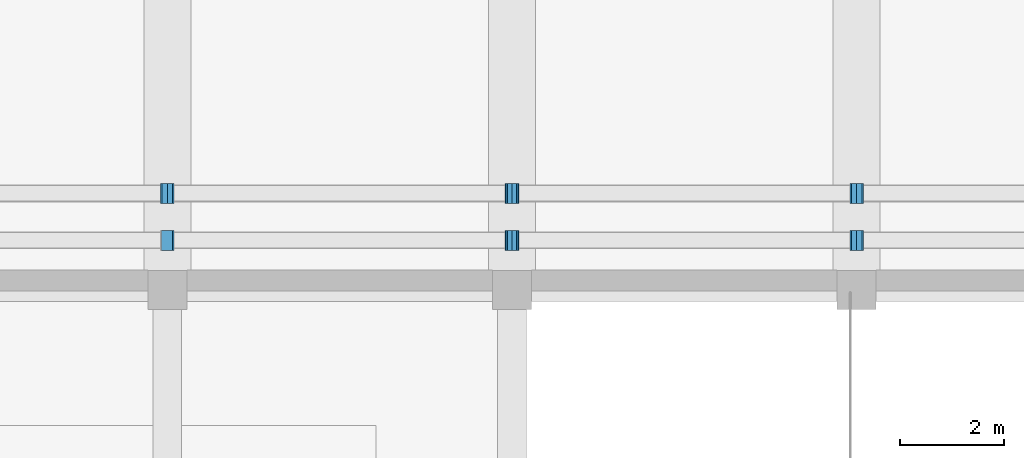
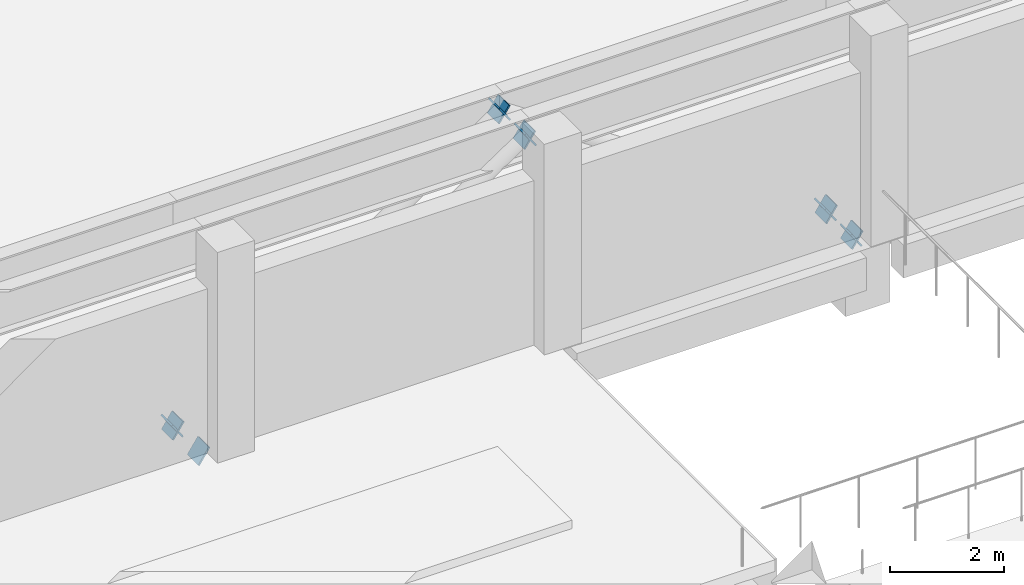
# One storey, part 45 of 54: 11 discrete accessories.
"""IFC4 building model written with IfcOpenShell, lengths in metres."""

from ifc_helpers import new_model, si_unit, direction, frame, origin, origin_2d, place, context, subcontext, project, spatial, rectangle, extrude, material, material_profile, profile_set, type_object, element, save


model = new_model("IFC4")

# Units and contexts
model_context = context("Model", 3, precision=1e-05, world=origin(), true_north=direction((0.0, 1.0)))
body_context = subcontext(model_context, "Body", "Model", "MODEL_VIEW")
ifc_project = project(units=[si_unit("LENGTHUNIT", "METRE"), si_unit("AREAUNIT", "SQUARE_METRE"), si_unit("VOLUMEUNIT", "CUBIC_METRE"), si_unit("PLANEANGLEUNIT", "RADIAN"), si_unit("MASSUNIT", "GRAM", prefix="KILO")], contexts=[model_context])

# Site, building, storey
site_placement = place(None, origin())
site = spatial("IfcSite", under=ifc_project, at=site_placement, CompositionType="ELEMENT")
building_placement = place(site_placement, origin())
building = spatial("IfcBuilding", under=site, at=building_placement, Name="Kelarvand Opera House", CompositionType="ELEMENT")
storey_placement = place(building_placement, frame((0.0, 0.0, 15.0)))
storey = spatial("IfcBuildingStorey", under=building, at=storey_placement, Name="L03", CompositionType="ELEMENT", Elevation=15.0)

# Discrete accessories
ifc_material = material(Name="Steel S355", Category="steel")
ifc_material_profile = material_profile(ifc_material, rectangle(XDim=0.384033203125, YDim=0.384033203125, at=origin_2d()), Name="Welded Steel Hollow End-Cap Plate 384x384x24", Category="steel")
ifc_profile_set = profile_set([ifc_material_profile], Name="Steel S355")
discrete_accessory_type = type_object("IfcDiscreteAccessoryType", Name="Welded Steel Hollow End-Cap Plate 384x384x24", PredefinedType="SHOE", material=ifc_profile_set)
discrete_accessory_placement = place(storey_placement, frame((121.993408203125, 47.550048828125, -0.66552734375), z_axis=(0.829951176842, 0.0, -0.557836036894), x_axis=(0.0, 1.0, 0.0)))
element("IfcDiscreteAccessory", 1, at=discrete_accessory_placement, inside=storey, type_object=discrete_accessory_type, Name="Hollow Section Welded End Cap 120", PredefinedType="SHOE", context=body_context, shape_type="SweptSolid", body=[
    extrude(rectangle(XDim=0.384033203125, YDim=0.384033203125, at=origin_2d()), origin(), (0.0, 0.0, 1.0), 0.035888671875),
])
for number, where, z_axis, x_axis, name in (
    (2, (128.593505859375, 47.550048828125, 3.765380859375), (0.826800431078, 0.0, 0.562495375242), (0.0, 1.0, 0.0), "Hollow Section Welded End Cap 124"),
    (3, (128.606689453125, 47.550048828125, 3.765380859375), (-0.826800431078, 0.0, 0.562495375242), (0.0, -1.0, 0.0), "Hollow Section Welded End Cap 127"),
):
    element("IfcDiscreteAccessory", number, at=place(storey_placement, frame(where, z_axis=z_axis, x_axis=x_axis)), inside=storey, type_object=discrete_accessory_type, Name=name, PredefinedType="SHOE", context=body_context, shape_type="SweptSolid", body=[
        extrude(rectangle(XDim=0.384033203125, YDim=0.384033203125, at=origin_2d()), origin(), (0.0, 0.0, 1.0), 0.0361328125),
    ])
for number, where, z_axis, x_axis, name in (
    (4, (135.193359375, 47.550048828125, -0.66552734375), (0.829951176842, 0.0, -0.557836036894), (0.0, 1.0, 0.0), "Hollow Section Welded End Cap 128"),
    (5, (135.20654296875, 47.550048828125, -0.66552734375), (-0.829951176842, 0.0, -0.557836036894), (0.0, -1.0, 0.0), "Hollow Section Welded End Cap 131"),
    (6, (121.993408203125, 48.449951171875, -0.66552734375), (0.829951176842, 0.0, -0.557836036894), (0.0, 1.0, 0.0), "Hollow Section Welded End Cap 144"),
    (7, (122.006591796875, 48.449951171875, -0.66552734375), (-0.829951176842, 0.0, -0.557836036894), (0.0, -1.0, 0.0), "Hollow Section Welded End Cap 147"),
):
    element("IfcDiscreteAccessory", number, at=place(storey_placement, frame(where, z_axis=z_axis, x_axis=x_axis)), inside=storey, type_object=discrete_accessory_type, Name=name, PredefinedType="SHOE", context=body_context, shape_type="SweptSolid", body=[
        extrude(rectangle(XDim=0.384033203125, YDim=0.384033203125, at=origin_2d()), origin(), (0.0, 0.0, 1.0), 0.035888671875),
    ])
for number, where, z_axis, x_axis, name in (
    (8, (128.593505859375, 48.449951171875, 3.765380859375), (0.826800431078, 0.0, 0.562495375242), (0.0, 1.0, 0.0), "Hollow Section Welded End Cap 148"),
    (9, (128.606689453125, 48.449951171875, 3.765380859375), (-0.826800431078, 0.0, 0.562495375242), (0.0, -1.0, 0.0), "Hollow Section Welded End Cap 151"),
):
    element("IfcDiscreteAccessory", number, at=place(storey_placement, frame(where, z_axis=z_axis, x_axis=x_axis)), inside=storey, type_object=discrete_accessory_type, Name=name, PredefinedType="SHOE", context=body_context, shape_type="SweptSolid", body=[
        extrude(rectangle(XDim=0.384033203125, YDim=0.384033203125, at=origin_2d()), origin(), (0.0, 0.0, 1.0), 0.0361328125),
    ])
for number, where, z_axis, x_axis, name in (
    (10, (135.193359375, 48.449951171875, -0.66552734375), (0.829951176842, 0.0, -0.557836036894), (0.0, 1.0, 0.0), "Hollow Section Welded End Cap 152"),
    (11, (135.20654296875, 48.449951171875, -0.66552734375), (-0.829951176842, 0.0, -0.557836036894), (0.0, -1.0, 0.0), "Hollow Section Welded End Cap 155"),
):
    element("IfcDiscreteAccessory", number, at=place(storey_placement, frame(where, z_axis=z_axis, x_axis=x_axis)), inside=storey, type_object=discrete_accessory_type, Name=name, PredefinedType="SHOE", context=body_context, shape_type="SweptSolid", body=[
        extrude(rectangle(XDim=0.384033203125, YDim=0.384033203125, at=origin_2d()), origin(), (0.0, 0.0, 1.0), 0.035888671875),
    ])

save(model, "model.ifc")
